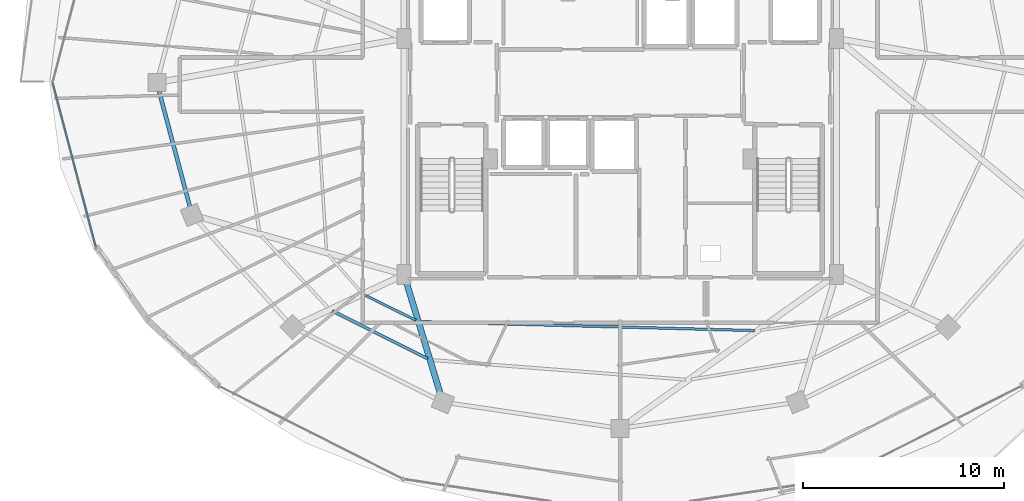
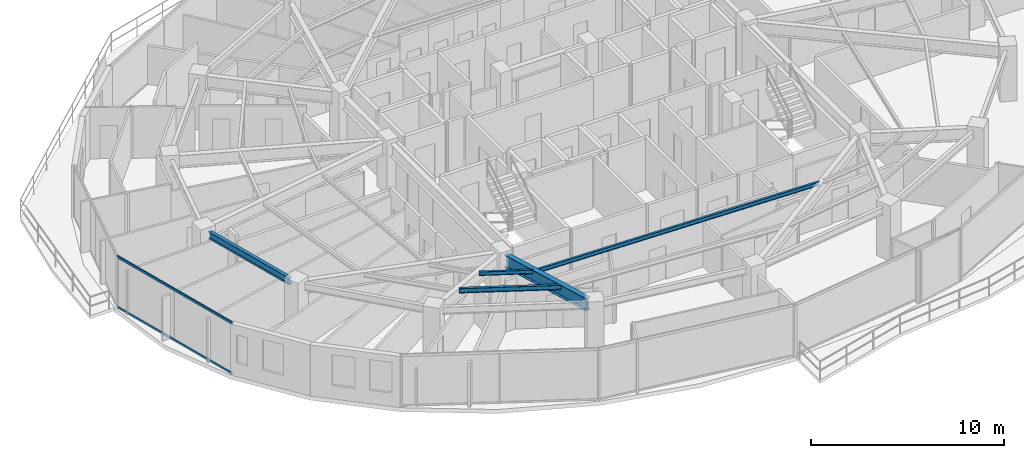
# One storey, part 6 of 33: 5 beams, 2 members, 1 element without a shape of its own.
"""IFC4 building model written with IfcOpenShell, lengths in metres."""

from ifc_helpers import new_model, si_unit, direction, frame, origin, origin_2d, place, context, subcontext, project, spatial, hollow_rectangle, i_section, extrude, material, material_profile, profile_set, type_object, element, aggregate, save


model = new_model("IFC4")

# Units and contexts
model_context = context("Model", 3, precision=1e-05, world=origin(), true_north=direction((0.0, 1.0)))
body_context = subcontext(model_context, "Body", "Model", "MODEL_VIEW")
ifc_project = project(units=[si_unit("LENGTHUNIT", "METRE"), si_unit("AREAUNIT", "SQUARE_METRE"), si_unit("VOLUMEUNIT", "CUBIC_METRE"), si_unit("PLANEANGLEUNIT", "RADIAN"), si_unit("MASSUNIT", "GRAM", prefix="KILO")], contexts=[model_context])

# Site, building, storey
site_placement = place(None, origin())
site = spatial("IfcSite", under=ifc_project, at=site_placement, CompositionType="ELEMENT")
building_placement = place(site_placement, origin())
building = spatial("IfcBuilding", under=site, at=building_placement, Name="Vorneva Point Tower", CompositionType="ELEMENT")
storey_placement = place(building_placement, frame((0.0, 0.0, 196.60009765625)))
storey = spatial("IfcBuildingStorey", under=building, at=storey_placement, Name="L53", CompositionType="ELEMENT", Elevation=196.60009765625)

# Beams
ifc_material_1 = material(Name="Steel S355", Category="steel")
ifc_material_profile_1 = material_profile(ifc_material_1, i_section(OverallWidth=0.300048828125, OverallDepth=0.7880859375, WebThickness=0.014404296875, FlangeThickness=0.02197265625, at=origin_2d()), Name="80Sh1")
ifc_profile_set_1 = profile_set([ifc_material_profile_1], Name="Steel S355")
beam_type_1 = type_object("IfcBeamType", Name="BM-GRD-80Sh1", PredefinedType="USERDEFINED", material=ifc_profile_set_1)
beam_1_placement = place(storey_placement, frame((29.051513671875, 10.5283203125, 2.845947265625), z_axis=(-0.291025429135, 0.956715317948, 0.0), x_axis=(-0.956715317948, -0.291025429135, 0.0)))
element("IfcBeam", 1, at=beam_1_placement, inside=storey, type_object=beam_type_1, Name="L53 Radial Primary Girder 12", ObjectType="GIRDER", PredefinedType="USERDEFINED", context=body_context, shape_type="SweptSolid", body=[
    extrude(i_section(OverallWidth=0.300048828125, OverallDepth=0.7880859375, WebThickness=0.014404296875, FlangeThickness=0.02197265625, at=origin_2d()), origin(), (0.0, 0.0, 1.0), 5.849609375),
])
ifc_material_profile_2 = material_profile(ifc_material_1, i_section(OverallWidth=0.1240234375, OverallDepth=0.248046875, WebThickness=0.0048828125, FlangeThickness=0.008056640625, at=origin_2d()), Name="25B1")
ifc_profile_set_2 = profile_set([ifc_material_profile_2], Name="Steel S355")
beam_type_2 = type_object("IfcBeamType", Name="BM-JST-25B1", PredefinedType="JOIST", material=ifc_profile_set_2)
beam_2_placement = place(storey_placement, frame((25.32177734375, 15.422607421875, 3.115966796875), z_axis=(0.895432586212, -0.445197128865, 0.0), x_axis=(0.445197128865, 0.895432586212, 0.0)))
element("IfcBeam", 2, at=beam_2_placement, inside=storey, type_object=beam_type_2, Name="L53 Secondary Floor Beam 2.11", PredefinedType="JOIST", context=body_context, shape_type="SweptSolid", body=[
    extrude(i_section(OverallWidth=0.1240234375, OverallDepth=0.248046875, WebThickness=0.0048828125, FlangeThickness=0.008056640625, at=origin_2d()), origin(), (0.0, 0.0, 1.0), 2.810546875),
])
beam_3_placement = place(storey_placement, frame((28.099853515625, 14.106201171875, 3.115966796875), z_axis=(0.999646768073, -0.026577040474, 0.0), x_axis=(0.026577040474, 0.999646768073, 0.0)))
element("IfcBeam", 3, at=beam_3_placement, inside=storey, type_object=beam_type_2, Name="L53 Secondary Floor Beam 2.12", PredefinedType="JOIST", context=body_context, shape_type="SweptSolid", body=[
    extrude(i_section(OverallWidth=0.1240234375, OverallDepth=0.248046875, WebThickness=0.0048828125, FlangeThickness=0.008056640625, at=origin_2d()), origin(), (0.0, 0.0, 1.0), 16.599365234375),
])
ifc_material_profile_3 = material_profile(ifc_material_1, i_section(OverallWidth=0.14892578125, OverallDepth=0.298095703125, WebThickness=0.005615234375, FlangeThickness=0.008056640625, at=origin_2d()), Name="30B1")
ifc_profile_set_3 = profile_set([ifc_material_profile_3], Name="Steel S355")
beam_type_3 = type_object("IfcBeamType", Name="BM-JST-30B1", PredefinedType="JOIST", material=ifc_profile_set_3)
beam_4_placement = place(storey_placement, frame((23.67431640625, 14.646728515625, 3.0908203125), z_axis=(0.893966574165, -0.448133645552, 0.0), x_axis=(0.448133645552, 0.893966574165, 0.0)))
element("IfcBeam", 4, at=beam_4_placement, inside=storey, type_object=beam_type_3, Name="L53 Secondary Floor Beam 1.11", PredefinedType="JOIST", context=body_context, shape_type="SweptSolid", body=[
    extrude(i_section(OverallWidth=0.14892578125, OverallDepth=0.298095703125, WebThickness=0.005615234375, FlangeThickness=0.008056640625, at=origin_2d()), origin(), (0.0, 0.0, 1.0), 5.3056640625),
])
ifc_material_profile_4 = material_profile(ifc_material_1, i_section(OverallWidth=0.198974609375, OverallDepth=0.446044921875, WebThickness=0.008056640625, FlangeThickness=0.011962890625, at=origin_2d()), Name="45B1")
ifc_profile_set_4 = profile_set([ifc_material_profile_4], Name="Steel S355")
beam_type_4 = type_object("IfcBeamType", Name="BM-SPN-45B1", PredefinedType="SPANDREL", material=ifc_profile_set_4)
beam_5_placement = place(storey_placement, frame((15.06201171875, 25.57958984375, 3.016845703125), z_axis=(0.257578258003, -0.966257440336, 0.0), x_axis=(0.966257440336, 0.257578258003, 0.0)))
element("IfcBeam", 5, at=beam_5_placement, inside=storey, type_object=beam_type_4, Name="L53 Perimeter Spandrel Ring Beam 09", PredefinedType="SPANDREL", context=body_context, shape_type="SweptSolid", body=[
    extrude(i_section(OverallWidth=0.198974609375, OverallDepth=0.446044921875, WebThickness=0.008056640625, FlangeThickness=0.011962890625, at=origin_2d()), origin(), (0.0, 0.0, 1.0), 5.94189453125),
])

# Curtain wall, members
ifc_material_2 = material(Name="Pale anodised aluminium", Category="aluminium")
curtain_wall_type = type_object("IfcCurtainWallType", Name="CW-RES-SYS", PredefinedType="NOTDEFINED", material=ifc_material_2)
curtain_wall_placement = place(storey_placement, origin())
curtain_wall = element("IfcCurtainWall", 6, at=curtain_wall_placement, inside=storey, type_object=curtain_wall_type, Name="L53 Unitised Curtain Wall CW-L53-R03", PredefinedType="NOTDEFINED")
ifc_material_profile_5 = material_profile(ifc_material_2, hollow_rectangle(XDim=0.074951171875, YDim=0.14990234375, WallThickness=0.00390625, at=origin_2d()), Name="AL-TRN 150x75x4")
ifc_profile_set_5 = profile_set([ifc_material_profile_5], Name="Pale anodised aluminium")
member_type = type_object("IfcMemberType", Name="CW-TRN-150", PredefinedType="USERDEFINED", material=ifc_profile_set_5)
member_1_placement = place(storey_placement, frame((9.77001953125, 26.0, 0.02001953125), z_axis=(0.254362431281, -0.967108966742, 0.0), x_axis=(0.967108966742, 0.254362431281, 0.0)))
member_1 = element("IfcMember", 7, at=member_1_placement, type_object=member_type, Name="CW-L53-R03 Transom 02.1", ObjectType="TRANSOM", PredefinedType="USERDEFINED", context=body_context, shape_type="SweptSolid", body=[
    extrude(hollow_rectangle(XDim=0.074951171875, YDim=0.14990234375, WallThickness=0.00390625, at=origin_2d()), origin(), (0.0, 0.0, 1.0), 8.4482421875),
])
member_2_placement = place(storey_placement, frame((9.77001953125, 26.0, 3.219970703125), z_axis=(0.254362431281, -0.967108966742, 0.0), x_axis=(0.967108966742, 0.254362431281, 0.0)))
member_2 = element("IfcMember", 8, at=member_2_placement, type_object=member_type, Name="CW-L53-R03 Transom 02.2", ObjectType="TRANSOM", PredefinedType="USERDEFINED", context=body_context, shape_type="SweptSolid", body=[
    extrude(hollow_rectangle(XDim=0.074951171875, YDim=0.14990234375, WallThickness=0.00390625, at=origin_2d()), origin(), (0.0, 0.0, 1.0), 8.4482421875),
])
aggregate(curtain_wall, [member_1, member_2])

save(model, "model.ifc")
